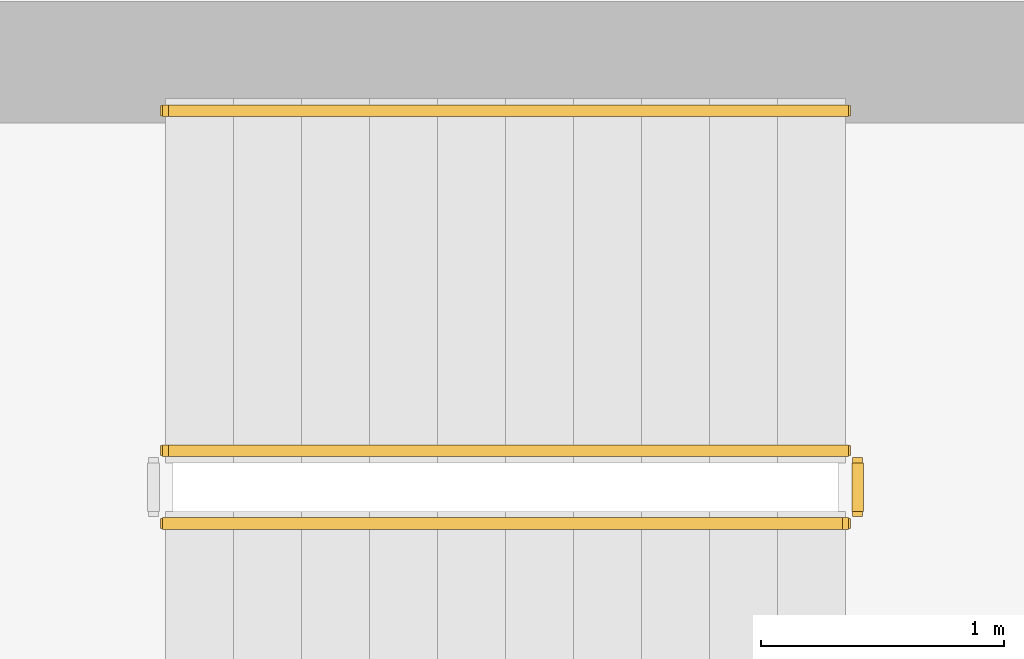
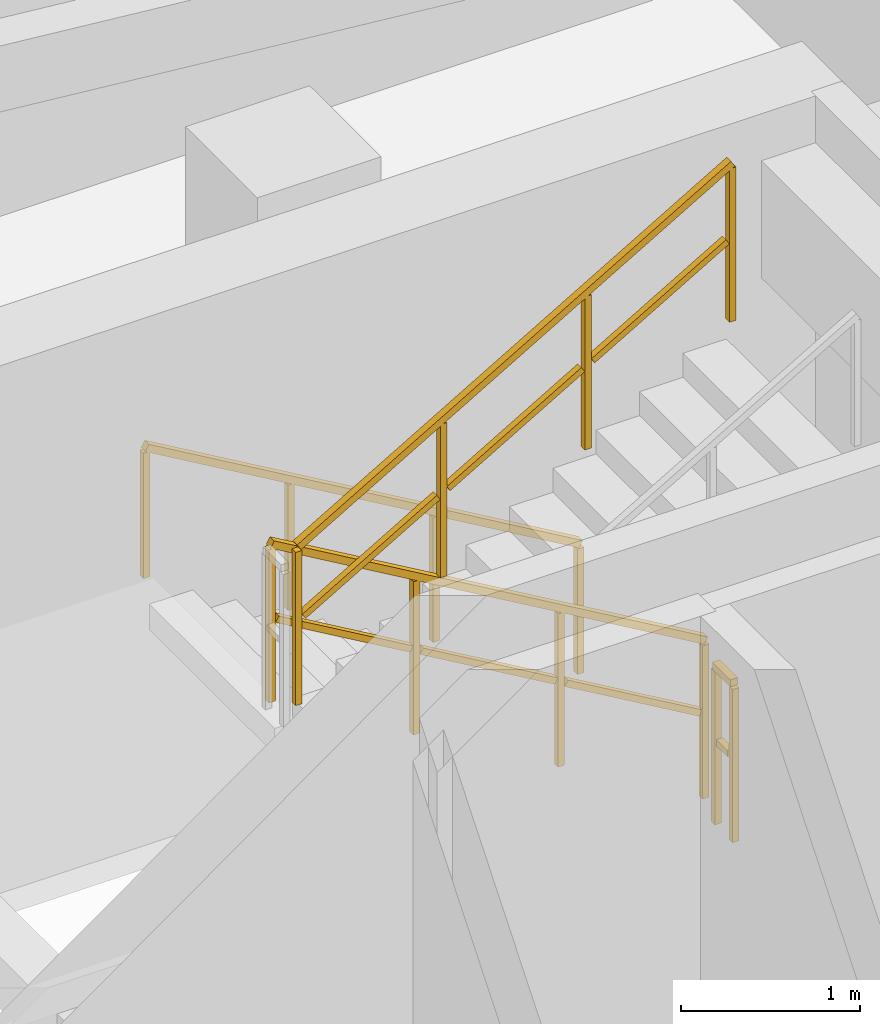
# One storey, part 33 of 35: 4 railings.
"""IFC4 building model written with IfcOpenShell, lengths in metres."""

from ifc_helpers import new_model, si_unit, direction, frame, origin, origin_2d, place, context, subcontext, project, spatial, rectangle, extrude, material, type_object, element, save


model = new_model("IFC4")

# Units and contexts
model_context = context("Model", 3, precision=1e-05, world=origin(), true_north=direction((0.0, 1.0)))
body_context = subcontext(model_context, "Body", "Model", "MODEL_VIEW")
ifc_project = project(units=[si_unit("LENGTHUNIT", "METRE"), si_unit("AREAUNIT", "SQUARE_METRE"), si_unit("VOLUMEUNIT", "CUBIC_METRE"), si_unit("PLANEANGLEUNIT", "RADIAN"), si_unit("MASSUNIT", "GRAM", prefix="KILO")], contexts=[model_context])

# Site, building, storey
site_placement = place(None, origin())
site = spatial("IfcSite", under=ifc_project, at=site_placement, CompositionType="ELEMENT")
building_placement = place(site_placement, origin())
building = spatial("IfcBuilding", under=site, at=building_placement, Name="Thornwick Lancets Civic Towers", CompositionType="ELEMENT")
storey_placement = place(building_placement, frame((0.0, 0.0, 276.300048828125)))
storey = spatial("IfcBuildingStorey", under=building, at=storey_placement, Name="L74", CompositionType="ELEMENT", Elevation=276.300048828125)

# Railings
ifc_material_1 = material(Name="Brushed stainless steel S355", Category="steel")
railing_type_1 = type_object("IfcRailingType", Name="RAIL_HANDRAIL", PredefinedType="HANDRAIL", material=ifc_material_1)
railing_1_placement = place(storey_placement, frame((31.60009765625, 38.949951171875, 0.16357421875)))
element("IfcRailing", 1, at=railing_1_placement, inside=storey, type_object=railing_type_1, Name="L74 ST-A2 stair handrail 1", PredefinedType="HANDRAIL", context=body_context, shape_type="SweptSolid", body=[
    extrude(rectangle(XDim=0.048095703125, YDim=0.048095703125, at=origin_2d()), frame((0.0, 0.0, 0.8857421875), z_axis=(-0.863360870873, 0.0, 0.504586966384), x_axis=(0.0, -1.0, 0.0)), (0.0, 0.0, 1.0), 3.2431640625),
    extrude(rectangle(XDim=0.0419921875, YDim=0.0419921875, at=origin_2d()), origin(), (0.0, 0.0, 1.0), 0.855712890625),
    extrude(rectangle(XDim=0.0419921875, YDim=0.0419921875, at=origin_2d()), frame((-0.933349609375, 0.0, 0.54541015625)), (0.0, 0.0, 1.0), 0.855712890625),
    extrude(rectangle(XDim=0.0419921875, YDim=0.0419921875, at=origin_2d()), frame((-1.86669921875, 0.0, 1.091064453125)), (0.0, 0.0, 1.0), 0.855712890625),
    extrude(rectangle(XDim=0.0419921875, YDim=0.0419921875, at=origin_2d()), frame((-2.800048828125, 0.0, 1.636474609375)), (0.0, 0.0, 1.0), 0.855712890625),
])
ifc_material_2 = material(Name="Steel S355JR", Category="steel")
railing_type_2 = type_object("IfcRailingType", Name="RAIL_STAIR_GUARD", PredefinedType="GUARDRAIL", material=ifc_material_2)
railing_2_placement = place(storey_placement, frame((31.60009765625, 37.550048828125, 0.16357421875)))
element("IfcRailing", 2, at=railing_2_placement, inside=storey, type_object=railing_type_2, Name="L74 ST-A2 stair guard 1", PredefinedType="GUARDRAIL", context=body_context, shape_type="SweptSolid", body=[
    extrude(rectangle(XDim=0.048095703125, YDim=0.048095703125, at=origin_2d()), frame((0.0, 0.0, 1.076171875), z_axis=(-0.863360870873, 0.0, 0.504586966384), x_axis=(0.0, -1.0, 0.0)), (0.0, 0.0, 1.0), 3.2431640625),
    extrude(rectangle(XDim=0.0419921875, YDim=0.0419921875, at=origin_2d()), frame((-0.032470703125, 0.0, 0.591064453125), z_axis=(-0.863360870873, 0.0, 0.504586966384), x_axis=(0.0, -1.0, 0.0)), (0.0, 0.0, 1.0), 1.006103515625),
    extrude(rectangle(XDim=0.0419921875, YDim=0.0419921875, at=origin_2d()), frame((-0.9658203125, 0.0, 1.136474609375), z_axis=(-0.863360870873, 0.0, 0.504586966384), x_axis=(0.0, -1.0, 0.0)), (0.0, 0.0, 1.0), 1.006103515625),
    extrude(rectangle(XDim=0.0419921875, YDim=0.0419921875, at=origin_2d()), frame((-1.899169921875, 0.0, 1.681884765625), z_axis=(-0.863360870873, 0.0, 0.504586966384), x_axis=(0.0, -1.0, 0.0)), (0.0, 0.0, 1.0), 1.006103515625),
    extrude(rectangle(XDim=0.0419921875, YDim=0.0419921875, at=origin_2d()), origin(), (0.0, 0.0, 1.0), 1.0458984375),
    extrude(rectangle(XDim=0.0419921875, YDim=0.0419921875, at=origin_2d()), frame((-0.933349609375, 0.0, 0.54541015625)), (0.0, 0.0, 1.0), 1.0458984375),
    extrude(rectangle(XDim=0.0419921875, YDim=0.0419921875, at=origin_2d()), frame((-1.86669921875, 0.0, 1.091064453125)), (0.0, 0.0, 1.0), 1.0458984375),
    extrude(rectangle(XDim=0.0419921875, YDim=0.0419921875, at=origin_2d()), frame((-2.800048828125, 0.0, 1.636474609375)), (0.0, 0.0, 1.0), 1.0458984375),
])
railing_3_placement = place(storey_placement, frame((28.800048828125, 37.25, 1.963623046875)))
element("IfcRailing", 3, at=railing_3_placement, inside=storey, type_object=railing_type_2, Name="L74 ST-A2 stair guard 3", PredefinedType="GUARDRAIL", context=body_context, shape_type="SweptSolid", body=[
    extrude(rectangle(XDim=0.048095703125, YDim=0.048095703125, at=origin_2d()), frame((0.0, 0.0, 1.076171875), z_axis=(0.863393664356, 0.0, 0.504530851732), x_axis=(0.0, 1.0, 0.0)), (0.0, 0.0, 1.0), 3.2431640625),
    extrude(rectangle(XDim=0.0419921875, YDim=0.0419921875, at=origin_2d()), frame((0.032470703125, 0.0, 0.591064453125), z_axis=(0.863393664356, 0.0, 0.504530851732), x_axis=(0.0, 1.0, 0.0)), (0.0, 0.0, 1.0), 1.006103515625),
    extrude(rectangle(XDim=0.0419921875, YDim=0.0419921875, at=origin_2d()), frame((0.9658203125, 0.0, 1.136474609375), z_axis=(0.863393664356, 0.0, 0.504530851732), x_axis=(0.0, 1.0, 0.0)), (0.0, 0.0, 1.0), 1.006103515625),
    extrude(rectangle(XDim=0.0419921875, YDim=0.0419921875, at=origin_2d()), frame((1.899169921875, 0.0, 1.681884765625), z_axis=(0.863393664356, 0.0, 0.504530851732), x_axis=(0.0, 1.0, 0.0)), (0.0, 0.0, 1.0), 1.006103515625),
    extrude(rectangle(XDim=0.0419921875, YDim=0.0419921875, at=origin_2d()), origin(), (0.0, 0.0, 1.0), 1.0458984375),
    extrude(rectangle(XDim=0.0419921875, YDim=0.0419921875, at=origin_2d()), frame((0.933349609375, 0.0, 0.54541015625)), (0.0, 0.0, 1.0), 1.0458984375),
    extrude(rectangle(XDim=0.0419921875, YDim=0.0419921875, at=origin_2d()), frame((1.86669921875, 0.0, 1.0908203125)), (0.0, 0.0, 1.0), 1.0458984375),
    extrude(rectangle(XDim=0.0419921875, YDim=0.0419921875, at=origin_2d()), frame((2.800048828125, 0.0, 1.63623046875)), (0.0, 0.0, 1.0), 1.0458984375),
])
railing_4_placement = place(storey_placement, frame((31.64990234375, 37.5, 0.0)))
element("IfcRailing", 4, at=railing_4_placement, inside=storey, type_object=railing_type_2, Name="L74 ST-A2 stair guard 4", PredefinedType="GUARDRAIL", context=body_context, shape_type="SweptSolid", body=[
    extrude(rectangle(XDim=0.048095703125, YDim=0.048095703125, at=origin_2d()), frame((0.0, 0.0, 1.076171875), z_axis=(0.0, -1.0, 0.0), x_axis=(1.0, 0.0, 0.0)), (0.0, 0.0, 1.0), 0.199951171875),
    extrude(rectangle(XDim=0.0419921875, YDim=0.0419921875, at=origin_2d()), frame((0.0, -0.03759765625, 0.572021484375), z_axis=(0.0, -1.0, 0.0), x_axis=(1.0, 0.0, 0.0)), (0.0, 0.0, 1.0), 0.125),
    extrude(rectangle(XDim=0.0419921875, YDim=0.0419921875, at=origin_2d()), origin(), (0.0, 0.0, 1.0), 1.0458984375),
    extrude(rectangle(XDim=0.0419921875, YDim=0.0419921875, at=origin_2d()), frame((0.0, -0.199951171875, 0.0)), (0.0, 0.0, 1.0), 1.0458984375),
])

save(model, "model.ifc")
